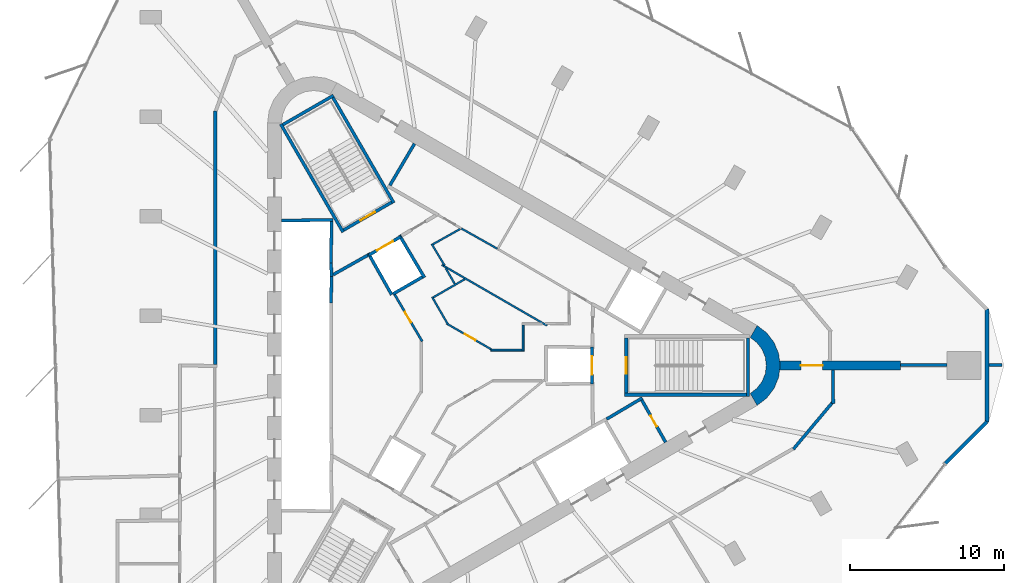
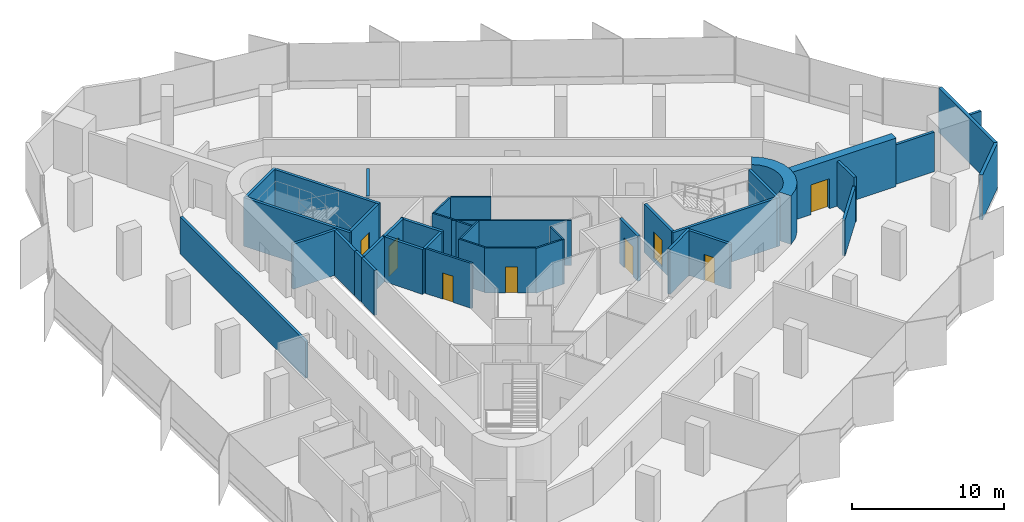
# One storey, part 9 of 12: 40 walls, 8 doors, 8 openings.
"""IFC4 building model written with IfcOpenShell, lengths in metres."""

from ifc_helpers import new_model, si_unit, direction, frame, frame_2d, origin, place, context, subcontext, project, spatial, polyline, rectangle, outline, extrude, material, layer, layer_set, type_object, element, fill, save


model = new_model("IFC4")

# Units and contexts
model_context = context("Model", 3, precision=1e-05, world=origin(), true_north=direction((0.0, 1.0)))
body_context = subcontext(model_context, "Body", "Model", "MODEL_VIEW")
ifc_project = project(units=[si_unit("LENGTHUNIT", "METRE"), si_unit("AREAUNIT", "SQUARE_METRE"), si_unit("VOLUMEUNIT", "CUBIC_METRE"), si_unit("PLANEANGLEUNIT", "RADIAN"), si_unit("MASSUNIT", "GRAM", prefix="KILO")], contexts=[model_context])

# Site, building, storey
site_placement = place(None, origin())
site = spatial("IfcSite", under=ifc_project, at=site_placement, CompositionType="ELEMENT")
building_placement = place(site_placement, origin())
building = spatial("IfcBuilding", under=site, at=building_placement, Name="Tanit Gate Tower", CompositionType="ELEMENT")
storey_placement = place(building_placement, frame((0.0, 0.0, 353.300048828125)))
storey = spatial("IfcBuildingStorey", under=building, at=storey_placement, Name="L80", CompositionType="ELEMENT", Elevation=353.300048828125)

# Wall, opening, door
ifc_material_1 = material(Name="Concrete C40/50", Category="concrete")
ifc_layer_1 = layer(ifc_material_1, 0.60009765625)
ifc_layer_set_1 = layer_set([ifc_layer_1], Name="BUTTRESS FIN 600 C40/50")
wall_type_1 = type_object("IfcWallType", Name="BUTTRESS FIN 600 C40/50", PredefinedType="SHEAR", material=ifc_layer_set_1)
wall_1_placement = place(storey_placement, frame((21.14990234375, 0.0, 0.0), z_axis=(0.0, 0.0, 1.0), x_axis=(1.0, 0.0, 0.0)))
wall_1 = element("IfcWall", 1, at=wall_1_placement, inside=storey, type_object=wall_type_1, Name="BUTTRESS FIN", PredefinedType="SHEAR", context=body_context, shape_type="SweptSolid", body=[
    extrude(rectangle(XDim=7.8544921875, YDim=0.60009765625, at=frame_2d((3.92724609375, 0.0))), origin(), (0.0, 0.0, 1.0), 3.89990234375),
])
opening_1_placement = place(wall_1_placement, frame((1.39990234375, 0.0, 0.0)))
opening_1 = element("IfcOpeningElement", 2, at=opening_1_placement, cuts=wall_1, Name="Opening P14-S22-F-E-1", PredefinedType="OPENING", context=body_context, shape_type="SweptSolid", body=[
    extrude(rectangle(XDim=1.39990234375, YDim=2.39990234375, at=frame_2d((0.699951171875, 1.199951171875))), frame((0.0, 0.31005859375, 0.0), z_axis=(0.0, -1.0, 0.0), x_axis=(1.0, 0.0, 0.0)), (0.0, 0.0, 1.0), 0.6201171875),
])
ifc_material_2 = material(Name="Timber door leaf", Category="wood")
door_type_1 = type_object("IfcDoorType", Name="INT-DOOR-FIN-PAIR-1400", OperationType="NOTDEFINED", PredefinedType="NOTDEFINED", material=ifc_material_2)
door_1_placement = place(opening_1_placement, origin())
door_1 = element("IfcDoor", 3, at=door_1_placement, inside=storey, type_object=door_type_1, Name="Door P14-S22-F-E-1", OperationType="DOUBLE_DOOR_SINGLE_SWING", OverallHeight=2.39990234375, OverallWidth=1.39990234375, PredefinedType="NOTDEFINED", context=body_context, shape_type="SweptSolid", body=[
    extrude(rectangle(XDim=1.39990234375, YDim=2.39990234375, at=frame_2d((0.699951171875, 1.199951171875))), frame((0.0, 0.02490234375, 0.0), z_axis=(0.0, -1.0, 0.0), x_axis=(1.0, 0.0, 0.0)), (0.0, 0.0, 1.0), 0.050048828125),
])
fill(opening_1, door_1)

# Walls
ifc_material_3 = material(Name="Concrete C40/50", Category="concrete")
ifc_layer_2 = layer(ifc_material_3, 0.89990234375)
ifc_layer_set_2 = layer_set([ifc_layer_2], Name="CORE WALL 900 C40/50")
wall_type_2 = type_object("IfcWallType", Name="CORE WALL 900 C40/50", PredefinedType="SHEAR", material=ifc_layer_set_2)
wall_2_placement = place(storey_placement, origin())
element("IfcWall", 4, at=wall_2_placement, inside=storey, type_object=wall_type_2, Name="CORE WALL CORNER", PredefinedType="SHEAR", context=body_context, shape_type="SweptSolid", body=[
    extrude(outline(polyline([(19.699951171875, -2.59814453125), (20.3212890625, -2.121337890625), (20.798095703125, -1.5), (21.097900390625, -0.776611328125), (21.199951171875, 0.0), (21.097900390625, 0.776611328125), (20.798095703125, 1.5), (20.3212890625, 2.121337890625), (19.699951171875, 2.59814453125), (19.25, 1.818603515625), (19.684814453125, 1.48486328125), (20.018798828125, 1.050048828125), (20.228515625, 0.54345703125), (20.300048828125, 0.0), (20.228515625, -0.54345703125), (20.018798828125, -1.050048828125), (19.684814453125, -1.48486328125), (19.25, -1.818603515625), (19.699951171875, -2.59814453125)])), origin(), (0.0, 0.0, 1.0), 3.89990234375),
])
ifc_material_4 = material(Name="Concrete C30/37 with bronze anodised aluminium cladding", Category="concrete")
ifc_layer_3 = layer(ifc_material_4, 0.239990234375)
ifc_layer_set_3 = layer_set([ifc_layer_3], Name="Facade wall bronze clad 240")
wall_type_3 = type_object("IfcWallType", Name="Facade wall bronze clad 240", PredefinedType="SOLIDWALL", material=ifc_layer_set_3)
wall_3_placement = place(storey_placement, frame((31.927001953125, -6.367431640625, 0.0), z_axis=(0.0, 0.0, 1.0), x_axis=(0.707074898653, 0.707138662283, 0.0)))
element("IfcWall", 5, at=wall_3_placement, inside=storey, type_object=wall_type_3, Name="Bronze-clad facade wall L80 E.arc1", PredefinedType="SOLIDWALL", context=body_context, shape_type="SweptSolid", body=[
    extrude(rectangle(XDim=3.828857421875, YDim=0.239990234375, at=frame_2d((1.91455078125, 0.0))), origin(), (0.0, 0.0, 1.0), 3.599853515625),
])
wall_4_placement = place(storey_placement, frame((34.63427734375, -3.659912109375, 0.0), z_axis=(0.0, 0.0, 1.0), x_axis=(0.0, 1.0, 0.0)))
element("IfcWall", 6, at=wall_4_placement, inside=storey, type_object=wall_type_3, Name="Bronze-clad facade wall L80 E.arc2", PredefinedType="SOLIDWALL", context=body_context, shape_type="SweptSolid", body=[
    extrude(rectangle(XDim=7.31982421875, YDim=0.239990234375, at=frame_2d((3.659912109375, 0.0))), origin(), (0.0, 0.0, 1.0), 3.599853515625),
])
ifc_material_5 = material(Name="Fire-rated gypsum board partition")
ifc_layer_4 = layer(ifc_material_5, 0.199951171875)
ifc_layer_set_4 = layer_set([ifc_layer_4], Name="INT-WALL-COMPARTMENT")
wall_type_4 = type_object("IfcWallType", Name="INT-WALL-COMPARTMENT", PredefinedType="PARTITIONING", material=ifc_layer_set_4)
wall_5_placement = place(storey_placement, frame((-2.557861328125, 14.409423828125, 0.0), z_axis=(0.0, 0.0, 1.0), x_axis=(-0.508018930956, -0.861345903683, 0.0)))
element("IfcWall", 7, at=wall_5_placement, inside=storey, type_object=wall_type_4, Name="Wall Compartment W049", PredefinedType="PARTITIONING", context=body_context, shape_type="SweptSolid", body=[
    extrude(rectangle(XDim=3.150146484375, YDim=0.199951171875, at=frame_2d((1.5751953125, 0.0))), origin(), (0.0, 0.0, 1.0), 3.599853515625),
])
wall_6_placement = place(storey_placement, frame((12.244873046875, -2.10888671875, 0.0), z_axis=(0.0, 0.0, 1.0), x_axis=(-0.860414880418, -0.509594185166, 0.0)))
element("IfcWall", 8, at=wall_6_placement, inside=storey, type_object=wall_type_4, Name="Wall Compartment W060", PredefinedType="PARTITIONING", context=body_context, shape_type="SweptSolid", body=[
    extrude(rectangle(XDim=2.7001953125, YDim=0.199951171875, at=frame_2d((1.35009765625, 0.0))), origin(), (0.0, 0.0, 1.0), 3.599853515625),
])

# Wall, opening, door
wall_7_placement = place(storey_placement, frame((13.758056640625, -4.989501953125, 0.0), z_axis=(0.0, 0.0, 1.0), x_axis=(-0.491993409184, 0.87059892334, 0.0)))
wall_7 = element("IfcWall", 9, at=wall_7_placement, inside=storey, type_object=wall_type_4, Name="Wall Compartment W061", PredefinedType="PARTITIONING", context=body_context, shape_type="SweptSolid", body=[
    extrude(rectangle(XDim=3.150146484375, YDim=0.199951171875, at=frame_2d((1.5751953125, 0.0))), origin(), (0.0, 0.0, 1.0), 3.599853515625),
])
opening_2_placement = place(wall_7_placement, frame((1.175048828125, 0.0, 0.0)))
opening_2 = element("IfcOpeningElement", 10, at=opening_2_placement, cuts=wall_7, Name="Opening R08-S22-20", PredefinedType="OPENING", context=body_context, shape_type="SweptSolid", body=[
    extrude(rectangle(XDim=0.800048828125, YDim=2.10009765625, at=frame_2d((0.39990234375, 1.050048828125))), frame((0.0, 0.10986328125, 0.0), z_axis=(0.0, -1.0, 0.0), x_axis=(1.0, 0.0, 0.0)), (0.0, 0.0, 1.0), 0.219970703125),
])
ifc_material_6 = material(Name="Timber door leaf", Category="wood")
door_type_2 = type_object("IfcDoorType", Name="INT-DOOR-RISER-800", OperationType="NOTDEFINED", PredefinedType="USERDEFINED", material=ifc_material_6)
door_2_placement = place(opening_2_placement, origin())
door_2 = element("IfcDoor", 11, at=door_2_placement, inside=storey, type_object=door_type_2, Name="Door R08-S22-20", ObjectType="FIRE DOOR", OperationType="SINGLE_SWING_LEFT", OverallHeight=2.10009765625, OverallWidth=0.800048828125, PredefinedType="USERDEFINED", context=body_context, shape_type="SweptSolid", body=[
    extrude(rectangle(XDim=0.800048828125, YDim=2.10009765625, at=frame_2d((0.39990234375, 1.050048828125))), frame((0.0, 0.02490234375, 0.0), z_axis=(0.0, -1.0, 0.0), x_axis=(1.0, 0.0, 0.0)), (0.0, 0.0, 1.0), 0.050048828125),
])
fill(opening_2, door_2)

# Walls
wall_8_placement = place(storey_placement, frame((-5.600341796875, 7.16015625, 0.0), z_axis=(0.0, 0.0, 1.0), x_axis=(-0.871340486379, -0.490678873396, 0.0)))
element("IfcWall", 12, at=wall_8_placement, inside=storey, type_object=wall_type_4, Name="Wall Compartment W064", PredefinedType="PARTITIONING", context=body_context, shape_type="SweptSolid", body=[
    extrude(rectangle(XDim=2.580810546875, YDim=0.199951171875, at=frame_2d((1.29052734375, 0.0))), origin(), (0.0, 0.0, 1.0), 3.599853515625),
])
wall_9_placement = place(storey_placement, frame((-15.5, 16.54052734375, 0.0), z_axis=(0.0, 0.0, 1.0), x_axis=(0.0, -1.0, 0.0)))
element("IfcWall", 13, at=wall_9_placement, inside=storey, type_object=wall_type_4, Name="Wall Compartment W102", PredefinedType="PARTITIONING", context=body_context, shape_type="SweptSolid", body=[
    extrude(rectangle(XDim=16.470458984375, YDim=0.199951171875, at=frame_2d((8.2353515625, 0.0))), origin(), (0.0, 0.0, 1.0), 2.969970703125),
])
wall_10_placement = place(storey_placement, frame((24.647705078125, -2.46240234375, 0.0), z_axis=(0.0, 0.0, 1.0), x_axis=(-0.012757232068, 0.999918623204, 0.0)))
element("IfcWall", 14, at=wall_10_placement, inside=storey, type_object=wall_type_4, Name="Wall Compartment W110", PredefinedType="PARTITIONING", context=body_context, shape_type="SweptSolid", body=[
    extrude(rectangle(XDim=2.16259765625, YDim=0.199951171875, at=frame_2d((1.081298828125, 0.0))), origin(), (0.0, 0.0, 1.0), 3.599853515625),
])
wall_11_placement = place(storey_placement, frame((22.05419921875, -5.435302734375, 0.0), z_axis=(0.0, 0.0, 1.0), x_axis=(0.642790979996, 0.766041615081, 0.0)))
element("IfcWall", 15, at=wall_11_placement, inside=storey, type_object=wall_type_4, Name="Wall Compartment W111", PredefinedType="PARTITIONING", context=body_context, shape_type="SweptSolid", body=[
    extrude(rectangle(XDim=3.9833984375, YDim=0.199951171875, at=frame_2d((1.99169921875, 0.0))), origin(), (0.0, 0.0, 1.0), 2.8798828125),
])
wall_12_placement = place(storey_placement, frame((29.00439453125, 0.017822265625, 0.0), z_axis=(0.0, 0.0, 1.0), x_axis=(0.999991911041, 0.004022170023, 0.0)))
element("IfcWall", 16, at=wall_12_placement, inside=storey, type_object=wall_type_4, Name="Wall Compartment W131", PredefinedType="PARTITIONING", context=body_context, shape_type="SweptSolid", body=[
    extrude(rectangle(XDim=3.034912109375, YDim=0.199951171875, at=frame_2d((1.517578125, 0.0))), origin(), (0.0, 0.0, 1.0), 3.169921875),
])
wall_13_placement = place(storey_placement, frame((34.75439453125, 0.030029296875, 0.0), z_axis=(0.0, 0.0, 1.0), x_axis=(1.0, 0.0, 0.0)))
element("IfcWall", 17, at=wall_13_placement, inside=storey, type_object=wall_type_4, Name="Wall Compartment W132", PredefinedType="PARTITIONING", context=body_context, shape_type="SweptSolid", body=[
    extrude(rectangle(XDim=0.8525390625, YDim=0.199951171875, at=frame_2d((0.42626953125, 0.0))), origin(), (0.0, 0.0, 1.0), 3.599853515625),
])
ifc_material_7 = material(Name="Gypsum board partition")
ifc_layer_5 = layer(ifc_material_7, 0.1201171875)
ifc_layer_set_5 = layer_set([ifc_layer_5], Name="INT-WALL-PARTITION")
wall_type_5 = type_object("IfcWallType", Name="INT-WALL-PARTITION", PredefinedType="PARTITIONING", material=ifc_layer_set_5)
wall_14_placement = place(storey_placement, frame((0.493896484375, 8.895751953125, 0.0), z_axis=(0.0, 0.0, 1.0), x_axis=(0.871426548871, -0.490526013503, 0.0)))
element("IfcWall", 18, at=wall_14_placement, inside=storey, type_object=wall_type_5, Name="Wall Partition W050", PredefinedType="PARTITIONING", context=body_context, shape_type="SweptSolid", body=[
    extrude(rectangle(XDim=2.670166015625, YDim=0.1201171875, at=frame_2d((1.3349609375, 0.0))), origin(), (0.0, 0.0, 1.0), 3.599853515625),
])
wall_15_placement = place(storey_placement, frame((-0.786376953125, 6.5380859375, 0.0), z_axis=(0.0, 0.0, 1.0), x_axis=(0.866034288228, -0.499984611377, 0.0)))
element("IfcWall", 19, at=wall_15_placement, inside=storey, type_object=wall_type_5, Name="Wall Partition W079", PredefinedType="PARTITIONING", context=body_context, shape_type="SweptSolid", body=[
    extrude(rectangle(XDim=7.900146484375, YDim=0.1201171875, at=frame_2d((3.9501953125, 0.0))), origin(), (0.0, 0.0, 1.0), 3.599853515625),
])
wall_16_placement = place(storey_placement, frame((4.5, 0.93994140625, 0.0), z_axis=(0.0, 0.0, 1.0), x_axis=(0.0, 1.0, 0.0)))
element("IfcWall", 20, at=wall_16_placement, inside=storey, type_object=wall_type_5, Name="Wall Partition W081", PredefinedType="PARTITIONING", context=body_context, shape_type="SweptSolid", body=[
    extrude(rectangle(XDim=1.699951171875, YDim=0.1201171875, at=frame_2d((0.85009765625, 0.0))), origin(), (0.0, 0.0, 1.0), 3.599853515625),
])
wall_17_placement = place(storey_placement, frame((2.407470703125, 1.0, 0.0), z_axis=(0.0, 0.0, 1.0), x_axis=(1.0, 0.0, 0.0)))
element("IfcWall", 21, at=wall_17_placement, inside=storey, type_object=wall_type_5, Name="Wall Partition W082", PredefinedType="PARTITIONING", context=body_context, shape_type="SweptSolid", body=[
    extrude(rectangle(XDim=2.032470703125, YDim=0.1201171875, at=frame_2d((1.01611328125, 0.0))), origin(), (0.0, 0.0, 1.0), 3.599853515625),
])

# Wall, opening, door
wall_18_placement = place(storey_placement, frame((-0.479736328125, 2.72705078125, 0.0), z_axis=(0.0, 0.0, 1.0), x_axis=(0.86601279846, -0.500021832428, 0.0)))
wall_18 = element("IfcWall", 22, at=wall_18_placement, inside=storey, type_object=wall_type_5, Name="Wall Partition W083", PredefinedType="PARTITIONING", context=body_context, shape_type="SweptSolid", body=[
    extrude(rectangle(XDim=3.435302734375, YDim=0.1201171875, at=frame_2d((1.7177734375, 0.0))), origin(), (0.0, 0.0, 1.0), 3.599853515625),
])
opening_3_placement = place(wall_18_placement, frame((1.36962890625, 0.0, 0.0)))
opening_3 = element("IfcOpeningElement", 23, at=opening_3_placement, cuts=wall_18, Name="Opening R08-S22-13", PredefinedType="OPENING", context=body_context, shape_type="SweptSolid", body=[
    extrude(rectangle(XDim=0.800048828125, YDim=2.10009765625, at=frame_2d((0.39990234375, 1.050048828125))), frame((0.0, 0.070068359375, 0.0), z_axis=(0.0, -1.0, 0.0), x_axis=(1.0, 0.0, 0.0)), (0.0, 0.0, 1.0), 0.14013671875),
])
door_3_placement = place(opening_3_placement, origin())
door_3 = element("IfcDoor", 24, at=door_3_placement, inside=storey, type_object=door_type_2, Name="Door R08-S22-13", ObjectType="FIRE DOOR", OperationType="SINGLE_SWING_RIGHT", OverallHeight=2.10009765625, OverallWidth=0.800048828125, PredefinedType="USERDEFINED", context=body_context, shape_type="SweptSolid", body=[
    extrude(rectangle(XDim=0.800048828125, YDim=2.10009765625, at=frame_2d((0.39990234375, 1.050048828125))), frame((0.0, 0.02490234375, 0.0), z_axis=(0.0, -1.0, 0.0), x_axis=(1.0, 0.0, 0.0)), (0.0, 0.0, 1.0), 0.050048828125),
])
fill(opening_3, door_3)

# Walls
wall_19_placement = place(storey_placement, frame((-1.4140625, 4.448974609375, 0.0), z_axis=(0.0, 0.0, 1.0), x_axis=(0.500097243556, -0.865969252911, 0.0)))
element("IfcWall", 25, at=wall_19_placement, inside=storey, type_object=wall_type_5, Name="Wall Partition W084", PredefinedType="PARTITIONING", context=body_context, shape_type="SweptSolid", body=[
    extrude(rectangle(XDim=2.02978515625, YDim=0.1201171875, at=frame_2d((1.014892578125, 0.0))), origin(), (0.0, 0.0, 1.0), 3.599853515625),
])
wall_20_placement = place(storey_placement, frame((0.708984375, 5.60546875, 0.0), z_axis=(0.0, 0.0, 1.0), x_axis=(-0.8660096254, -0.500027327967, 0.0)))
element("IfcWall", 26, at=wall_20_placement, inside=storey, type_object=wall_type_5, Name="Wall Partition W085", PredefinedType="PARTITIONING", context=body_context, shape_type="SweptSolid", body=[
    extrude(rectangle(XDim=2.356689453125, YDim=0.1201171875, at=frame_2d((1.17822265625, 0.0))), origin(), (0.0, 0.0, 1.0), 3.599853515625),
])
wall_21_placement = place(storey_placement, frame((-0.532470703125, 6.322265625, 0.0), z_axis=(0.0, 0.0, 1.0), x_axis=(0.50005036918, -0.865996321171, 0.0)))
element("IfcWall", 27, at=wall_21_placement, inside=storey, type_object=wall_type_5, Name="Wall Partition W086", PredefinedType="PARTITIONING", context=body_context, shape_type="SweptSolid", body=[
    extrude(rectangle(XDim=1.181640625, YDim=0.1201171875, at=frame_2d((0.5908203125, 0.0))), origin(), (0.0, 0.0, 1.0), 3.599853515625),
])
wall_22_placement = place(storey_placement, frame((-1.442626953125, 7.896728515625, 0.0), z_axis=(0.0, 0.0, 1.0), x_axis=(0.514937238613, -0.85722788119, 0.0)))
element("IfcWall", 28, at=wall_22_placement, inside=storey, type_object=wall_type_5, Name="Wall Partition W087", PredefinedType="PARTITIONING", context=body_context, shape_type="SweptSolid", body=[
    extrude(rectangle(XDim=1.626220703125, YDim=0.1201171875, at=frame_2d((0.81298828125, 0.0))), origin(), (0.0, 0.0, 1.0), 3.599853515625),
])
wall_23_placement = place(storey_placement, frame((0.414306640625, 8.87109375, 0.0), z_axis=(0.0, 0.0, 1.0), x_axis=(-0.871809386997, -0.48984527429, 0.0)))
element("IfcWall", 29, at=wall_23_placement, inside=storey, type_object=wall_type_5, Name="Wall Partition W088", PredefinedType="PARTITIONING", context=body_context, shape_type="SweptSolid", body=[
    extrude(rectangle(XDim=2.034423828125, YDim=0.1201171875, at=frame_2d((1.01708984375, 0.0))), origin(), (0.0, 0.0, 1.0), 3.599853515625),
])

# Wall, opening, door
ifc_material_8 = material(Name="Fire-rated gypsum board partition")
ifc_layer_6 = layer(ifc_material_8, 0.14990234375)
ifc_layer_set_6 = layer_set([ifc_layer_6], Name="INT-WALL-RISER")
wall_type_6 = type_object("IfcWallType", Name="INT-WALL-RISER", PredefinedType="PLUMBINGWALL", material=ifc_layer_set_6)
wall_24_placement = place(storey_placement, frame((-2.05712890625, 1.565185546875, 0.0), z_axis=(0.0, 0.0, 1.0), x_axis=(-0.507299271879, 0.861769951176, 0.0)))
wall_24 = element("IfcWall", 30, at=wall_24_placement, inside=storey, type_object=wall_type_6, Name="Wall Riser W068", PredefinedType="PLUMBINGWALL", context=body_context, shape_type="SweptSolid", body=[
    extrude(rectangle(XDim=3.51611328125, YDim=0.14990234375, at=frame_2d((1.758056640625, 0.0))), origin(), (0.0, 0.0, 1.0), 3.599853515625),
])
opening_4_placement = place(wall_24_placement, frame((1.421630859375, 0.0, 0.0)))
opening_4 = element("IfcOpeningElement", 31, at=opening_4_placement, cuts=wall_24, Name="Opening R08-S22-10", PredefinedType="OPENING", context=body_context, shape_type="SweptSolid", body=[
    extrude(rectangle(XDim=0.800048828125, YDim=2.10009765625, at=frame_2d((0.39990234375, 1.050048828125))), frame((0.0, 0.0849609375, 0.0), z_axis=(0.0, -1.0, 0.0), x_axis=(1.0, 0.0, 0.0)), (0.0, 0.0, 1.0), 0.169921875),
])
door_4_placement = place(opening_4_placement, origin())
door_4 = element("IfcDoor", 32, at=door_4_placement, inside=storey, type_object=door_type_2, Name="Door R08-S22-10", ObjectType="FIRE DOOR", OperationType="SINGLE_SWING_LEFT", OverallHeight=2.10009765625, OverallWidth=0.800048828125, PredefinedType="USERDEFINED", context=body_context, shape_type="SweptSolid", body=[
    extrude(rectangle(XDim=0.800048828125, YDim=2.10009765625, at=frame_2d((0.39990234375, 1.050048828125))), frame((0.0, 0.02490234375, 0.0), z_axis=(0.0, -1.0, 0.0), x_axis=(1.0, 0.0, 0.0)), (0.0, 0.0, 1.0), 0.050048828125),
])
fill(opening_4, door_4)

# Walls
ifc_material_9 = material(Name="Gypsum shaft wall system")
ifc_layer_7 = layer(ifc_material_9, 0.199951171875)
ifc_layer_set_7 = layer_set([ifc_layer_7], Name="INT-WALL-SHAFT")
wall_type_7 = type_object("IfcWallType", Name="INT-WALL-SHAFT", PredefinedType="PLUMBINGWALL", material=ifc_layer_set_7)
wall_25_placement = place(storey_placement, frame((-11.199951171875, 9.419921875, 0.0), z_axis=(0.0, 0.0, 1.0), x_axis=(0.999957167047, 0.009255488683, 0.0)))
element("IfcWall", 33, at=wall_25_placement, inside=storey, type_object=wall_type_7, Name="Wall Shaft W001", PredefinedType="PLUMBINGWALL", context=body_context, shape_type="SweptSolid", body=[
    extrude(rectangle(XDim=3.35009765625, YDim=0.199951171875, at=frame_2d((1.675048828125, 0.0))), origin(), (0.0, 0.0, 1.0), 3.599853515625),
])
wall_26_placement = place(storey_placement, frame((-7.951171875, 9.35009765625, 0.0), z_axis=(0.0, 0.0, 1.0), x_axis=(-0.011120469654, -0.999938165666, 0.0)))
element("IfcWall", 34, at=wall_26_placement, inside=storey, type_object=wall_type_7, Name="Wall Shaft W002", PredefinedType="PLUMBINGWALL", context=body_context, shape_type="SweptSolid", body=[
    extrude(rectangle(XDim=2.700439453125, YDim=0.199951171875, at=frame_2d((1.35009765625, 0.0))), origin(), (0.0, 0.0, 1.0), 3.599853515625),
])
wall_27_placement = place(storey_placement, frame((-7.97705078125, 6.650146484375, 0.0), z_axis=(0.0, 0.0, 1.0), x_axis=(0.030861509705, -0.999523670164, 0.0)))
element("IfcWall", 35, at=wall_27_placement, inside=storey, type_object=wall_type_7, Name="Wall Shaft W003", PredefinedType="PLUMBINGWALL", context=body_context, shape_type="SweptSolid", body=[
    extrude(rectangle(XDim=0.878173828125, YDim=0.199951171875, at=frame_2d((0.43896484375, 0.0))), origin(), (0.0, 0.0, 1.0), 3.599853515625),
])
wall_28_placement = place(storey_placement, frame((-7.948974609375, 5.894287109375, 0.0), z_axis=(0.0, 0.0, 1.0), x_axis=(-0.016809909365, -0.999858703491, 0.0)))
element("IfcWall", 36, at=wall_28_placement, inside=storey, type_object=wall_type_7, Name="Wall Shaft W004", PredefinedType="PLUMBINGWALL", context=body_context, shape_type="SweptSolid", body=[
    extrude(rectangle(XDim=1.844482421875, YDim=0.199951171875, at=frame_2d((0.92236328125, 0.0))), origin(), (0.0, 0.0, 1.0), 3.599853515625),
])

# Wall, opening, door
wall_29_placement = place(storey_placement, frame((8.969970703125, 1.199951171875, 0.0), z_axis=(0.0, 0.0, 1.0), x_axis=(0.0, -1.0, 0.0)))
wall_29 = element("IfcWall", 37, at=wall_29_placement, inside=storey, type_object=wall_type_7, Name="Wall Shaft W024", PredefinedType="PLUMBINGWALL", context=body_context, shape_type="SweptSolid", body=[
    extrude(rectangle(XDim=2.39990234375, YDim=0.199951171875, at=frame_2d((1.199951171875, 0.0))), origin(), (0.0, 0.0, 1.0), 3.599853515625),
])
opening_5_placement = place(wall_29_placement, frame((0.60009765625, 0.0, 0.0)))
opening_5 = element("IfcOpeningElement", 38, at=opening_5_placement, cuts=wall_29, Name="Opening LDFL1-L80", PredefinedType="OPENING", context=body_context, shape_type="SweptSolid", body=[
    extrude(rectangle(XDim=1.199951171875, YDim=2.39990234375, at=frame_2d((0.60009765625, 1.199951171875))), frame((0.0, 0.10986328125, 0.0), z_axis=(0.0, -1.0, 0.0), x_axis=(1.0, 0.0, 0.0)), (0.0, 0.0, 1.0), 0.219970703125),
])
ifc_material_10 = material(Name="Stainless steel sliding door leaf", Category="steel")
door_type_3 = type_object("IfcDoorType", Name="INT-DOOR-LANDING-1200", OperationType="NOTDEFINED", PredefinedType="USERDEFINED", material=ifc_material_10)
door_5_placement = place(opening_5_placement, origin())
door_5 = element("IfcDoor", 39, at=door_5_placement, inside=storey, type_object=door_type_3, Name="Door LDFL1-L80", ObjectType="LANDING DOOR", OperationType="SLIDING_TO_LEFT", OverallHeight=2.39990234375, OverallWidth=1.199951171875, PredefinedType="USERDEFINED", context=body_context, shape_type="SweptSolid", body=[
    extrude(rectangle(XDim=1.199951171875, YDim=2.39990234375, at=frame_2d((0.60009765625, 1.199951171875))), frame((0.0, 0.02490234375, 0.0), z_axis=(0.0, -1.0, 0.0), x_axis=(1.0, 0.0, 0.0)), (0.0, 0.0, 1.0), 0.050048828125),
])
fill(opening_5, door_5)

wall_30_placement = place(storey_placement, frame((-5.524169921875, 7.168212890625, 0.0), z_axis=(0.0, 0.0, 1.0), x_axis=(0.866024647952, 0.500001309137, 0.0)))
wall_30 = element("IfcWall", 40, at=wall_30_placement, inside=storey, type_object=wall_type_7, Name="Wall Shaft W032", PredefinedType="PLUMBINGWALL", context=body_context, shape_type="SweptSolid", body=[
    extrude(rectangle(XDim=2.39990234375, YDim=0.199951171875, at=frame_2d((1.199951171875, 0.0))), origin(), (0.0, 0.0, 1.0), 3.599853515625),
])
opening_6_placement = place(wall_30_placement, frame((0.60009765625, 0.0, 0.0)))
opening_6 = element("IfcOpeningElement", 41, at=opening_6_placement, cuts=wall_30, Name="Opening LDFL2-L80", PredefinedType="OPENING", context=body_context, shape_type="SweptSolid", body=[
    extrude(rectangle(XDim=1.199951171875, YDim=2.39990234375, at=frame_2d((0.60009765625, 1.199951171875))), frame((0.0, 0.10986328125, 0.0), z_axis=(0.0, -1.0, 0.0), x_axis=(1.0, 0.0, 0.0)), (0.0, 0.0, 1.0), 0.219970703125),
])
door_6_placement = place(opening_6_placement, origin())
door_6 = element("IfcDoor", 42, at=door_6_placement, inside=storey, type_object=door_type_3, Name="Door LDFL2-L80", ObjectType="LANDING DOOR", OperationType="SLIDING_TO_LEFT", OverallHeight=2.39990234375, OverallWidth=1.199951171875, PredefinedType="USERDEFINED", context=body_context, shape_type="SweptSolid", body=[
    extrude(rectangle(XDim=1.199951171875, YDim=2.39990234375, at=frame_2d((0.60009765625, 1.199951171875))), frame((0.0, 0.02490234375, 0.0), z_axis=(0.0, -1.0, 0.0), x_axis=(1.0, 0.0, 0.0)), (0.0, 0.0, 1.0), 0.050048828125),
])
fill(opening_6, door_6)

# Walls
wall_31_placement = place(storey_placement, frame((-4.039306640625, 4.59619140625, 0.0), z_axis=(0.0, 0.0, 1.0), x_axis=(-0.491322718731, 0.870977603649, 0.0)))
element("IfcWall", 43, at=wall_31_placement, inside=storey, type_object=wall_type_7, Name="Wall Shaft W033", PredefinedType="PLUMBINGWALL", context=body_context, shape_type="SweptSolid", body=[
    extrude(rectangle(XDim=3.10009765625, YDim=0.199951171875, at=frame_2d((1.550048828125, 0.0))), origin(), (0.0, 0.0, 1.0), 3.599853515625),
])
wall_32_placement = place(storey_placement, frame((-3.53759765625, 8.46533203125, 0.0), z_axis=(0.0, 0.0, 1.0), x_axis=(0.508616218331, -0.860993346345, 0.0)))
element("IfcWall", 44, at=wall_32_placement, inside=storey, type_object=wall_type_7, Name="Wall Shaft W034", PredefinedType="PLUMBINGWALL", context=body_context, shape_type="SweptSolid", body=[
    extrude(rectangle(XDim=3.2001953125, YDim=0.199951171875, at=frame_2d((1.60009765625, 0.0))), origin(), (0.0, 0.0, 1.0), 3.599853515625),
])
wall_33_placement = place(storey_placement, frame((-2.04736328125, 5.74609375, 0.0), z_axis=(0.0, 0.0, 1.0), x_axis=(-0.866019606374, -0.500010041276, 0.0)))
element("IfcWall", 45, at=wall_33_placement, inside=storey, type_object=wall_type_7, Name="Wall Shaft W035", PredefinedType="PLUMBINGWALL", context=body_context, shape_type="SweptSolid", body=[
    extrude(rectangle(XDim=2.20458984375, YDim=0.199951171875, at=frame_2d((1.102294921875, 0.0))), origin(), (0.0, 0.0, 1.0), 3.599853515625),
])
ifc_material_11 = material(Name="Concrete C40/50", Category="concrete")
ifc_layer_8 = layer(ifc_material_11, 0.199951171875)
ifc_layer_set_8 = layer_set([ifc_layer_8], Name="INT-WALL-STAIR")
wall_type_8 = type_object("IfcWallType", Name="INT-WALL-STAIR", PredefinedType="SHEAR", material=ifc_layer_set_8)
wall_34_placement = place(storey_placement, frame((19.10009765625, -2.0, -0.300048828125), z_axis=(0.0, 0.0, 1.0), x_axis=(0.0, 1.0, 0.0)))
element("IfcWall", 46, at=wall_34_placement, inside=storey, type_object=wall_type_8, Name="Wall Stair W021", PredefinedType="SHEAR", context=body_context, shape_type="SweptSolid", body=[
    extrude(rectangle(XDim=3.800048828125, YDim=0.199951171875, at=frame_2d((1.89990234375, 0.0))), origin(), (0.0, 0.0, 1.0), 3.89990234375),
])
wall_35_placement = place(storey_placement, frame((11.10009765625, -1.89990234375, -0.300048828125), z_axis=(0.0, 0.0, 1.0), x_axis=(1.0, 0.0, 0.0)))
element("IfcWall", 47, at=wall_35_placement, inside=storey, type_object=wall_type_8, Name="Wall Stair W022", PredefinedType="SHEAR", context=body_context, shape_type="SweptSolid", body=[
    extrude(rectangle(XDim=7.89990234375, YDim=0.199951171875, at=frame_2d((3.949951171875, 0.0))), origin(), (0.0, 0.0, 1.0), 3.89990234375),
])

# Wall, opening, door
wall_36_placement = place(storey_placement, frame((11.199951171875, -1.800048828125, -0.300048828125), z_axis=(0.0, 0.0, 1.0), x_axis=(0.0, 1.0, 0.0)))
wall_36 = element("IfcWall", 48, at=wall_36_placement, inside=storey, type_object=wall_type_8, Name="Wall Stair W023", PredefinedType="SHEAR", context=body_context, shape_type="SweptSolid", body=[
    extrude(rectangle(XDim=3.60009765625, YDim=0.199951171875, at=frame_2d((1.800048828125, 0.0))), origin(), (0.0, 0.0, 1.0), 3.89990234375),
])
opening_7_placement = place(wall_36_placement, frame((1.25, 0.0, 0.300048828125)))
opening_7 = element("IfcOpeningElement", 49, at=opening_7_placement, cuts=wall_36, Name="Opening S11-S22-01", PredefinedType="OPENING", context=body_context, shape_type="SweptSolid", body=[
    extrude(rectangle(XDim=1.10009765625, YDim=2.10009765625, at=frame_2d((0.550048828125, 1.050048828125))), frame((0.0, 0.10986328125, 0.0), z_axis=(0.0, -1.0, 0.0), x_axis=(1.0, 0.0, 0.0)), (0.0, 0.0, 1.0), 0.219970703125),
])
ifc_material_12 = material(Name="Timber door leaf", Category="wood")
door_type_4 = type_object("IfcDoorType", Name="INT-DOOR-STAIR-1100", OperationType="NOTDEFINED", PredefinedType="USERDEFINED", material=ifc_material_12)
door_7_placement = place(opening_7_placement, origin())
door_7 = element("IfcDoor", 50, at=door_7_placement, inside=storey, type_object=door_type_4, Name="Door S11-S22-01", ObjectType="FIRE DOOR", OperationType="SINGLE_SWING_RIGHT", OverallHeight=2.10009765625, OverallWidth=1.10009765625, PredefinedType="USERDEFINED", context=body_context, shape_type="SweptSolid", body=[
    extrude(rectangle(XDim=1.10009765625, YDim=2.10009765625, at=frame_2d((0.550048828125, 1.050048828125))), frame((0.0, 0.02490234375, 0.0), z_axis=(0.0, -1.0, 0.0), x_axis=(1.0, 0.0, 0.0)), (0.0, 0.0, 1.0), 0.050048828125),
])
fill(opening_7, door_7)

# Walls
wall_37_placement = place(storey_placement, frame((-11.245361328125, 15.677734375, -0.300048828125), z_axis=(0.0, 0.0, 1.0), x_axis=(0.499977274689, -0.866038523851, 0.0)))
element("IfcWall", 51, at=wall_37_placement, inside=storey, type_object=wall_type_8, Name="Wall Stair W028", PredefinedType="SHEAR", context=body_context, shape_type="SweptSolid", body=[
    extrude(rectangle(XDim=8.10009765625, YDim=0.199951171875, at=frame_2d((4.050048828125, 0.0))), origin(), (0.0, 0.0, 1.0), 3.89990234375),
])
wall_38_placement = place(storey_placement, frame((-7.81787109375, 17.541015625, -0.300048828125), z_axis=(0.0, 0.0, 1.0), x_axis=(-0.866044365799, -0.499967155389, 0.0)))
element("IfcWall", 52, at=wall_38_placement, inside=storey, type_object=wall_type_8, Name="Wall Stair W029", PredefinedType="SHEAR", context=body_context, shape_type="SweptSolid", body=[
    extrude(rectangle(XDim=3.800048828125, YDim=0.199951171875, at=frame_2d((1.89990234375, 0.0))), origin(), (0.0, 0.0, 1.0), 3.89990234375),
])
wall_39_placement = place(storey_placement, frame((-7.8544921875, 17.404541015625, -0.300048828125), z_axis=(0.0, 0.0, 1.0), x_axis=(0.499997992926, -0.866026562566, 0.0)))
element("IfcWall", 53, at=wall_39_placement, inside=storey, type_object=wall_type_8, Name="Wall Stair W030", PredefinedType="SHEAR", context=body_context, shape_type="SweptSolid", body=[
    extrude(rectangle(XDim=7.89990234375, YDim=0.199951171875, at=frame_2d((3.949951171875, 0.0))), origin(), (0.0, 0.0, 1.0), 3.89990234375),
])

# Wall, opening, door
wall_40_placement = place(storey_placement, frame((-7.158935546875, 8.799560546875, -0.300048828125), z_axis=(0.0, 0.0, 1.0), x_axis=(0.866047807691, 0.499961193289, 0.0)))
wall_40 = element("IfcWall", 54, at=wall_40_placement, inside=storey, type_object=wall_type_8, Name="Wall Stair W031", PredefinedType="SHEAR", context=body_context, shape_type="SweptSolid", body=[
    extrude(rectangle(XDim=3.599853515625, YDim=0.199951171875, at=frame_2d((1.7998046875, 0.0))), origin(), (0.0, 0.0, 1.0), 3.89990234375),
])
opening_8_placement = place(wall_40_placement, frame((1.25, 0.0, 0.300048828125)))
opening_8 = element("IfcOpeningElement", 55, at=opening_8_placement, cuts=wall_40, Name="Opening S11-S22-04", PredefinedType="OPENING", context=body_context, shape_type="SweptSolid", body=[
    extrude(rectangle(XDim=1.10009765625, YDim=2.10009765625, at=frame_2d((0.550048828125, 1.050048828125))), frame((0.0, 0.10986328125, 0.0), z_axis=(0.0, -1.0, 0.0), x_axis=(1.0, 0.0, 0.0)), (0.0, 0.0, 1.0), 0.219970703125),
])
door_8_placement = place(opening_8_placement, origin())
door_8 = element("IfcDoor", 56, at=door_8_placement, inside=storey, type_object=door_type_4, Name="Door S11-S22-04", ObjectType="FIRE DOOR", OperationType="SINGLE_SWING_RIGHT", OverallHeight=2.10009765625, OverallWidth=1.10009765625, PredefinedType="USERDEFINED", context=body_context, shape_type="SweptSolid", body=[
    extrude(rectangle(XDim=1.10009765625, YDim=2.10009765625, at=frame_2d((0.550048828125, 1.050048828125))), frame((0.0, 0.02490234375, 0.0), z_axis=(0.0, -1.0, 0.0), x_axis=(1.0, 0.0, 0.0)), (0.0, 0.0, 1.0), 0.050048828125),
])
fill(opening_8, door_8)

save(model, "model.ifc")
